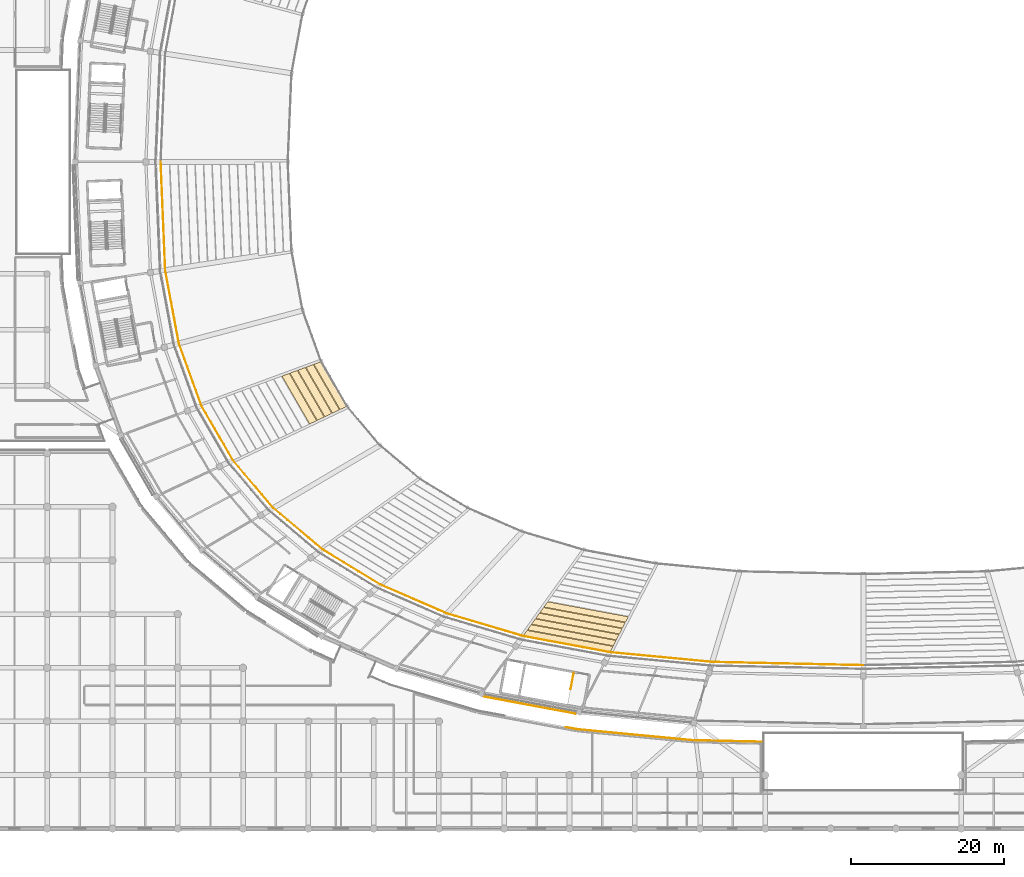
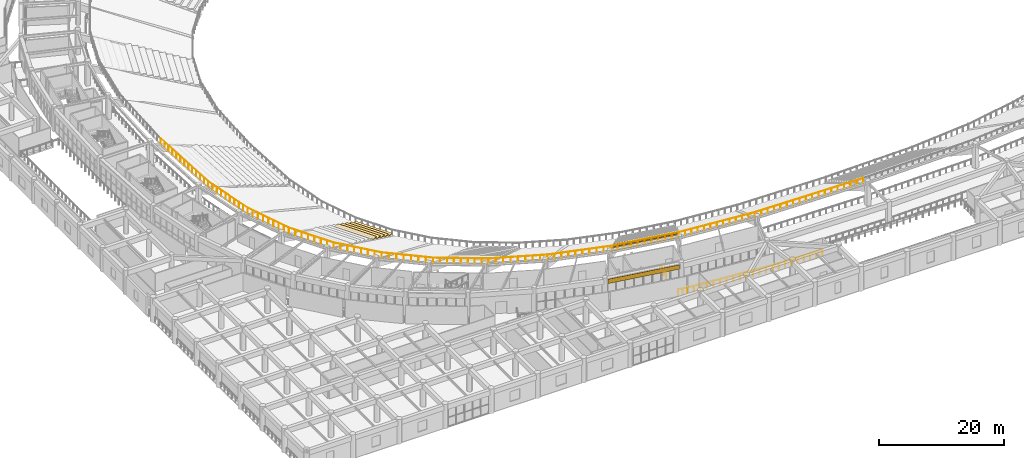
# One storey, part 115 of 137: 12 coverings, 4 railings.
"""IFC4 building model written with IfcOpenShell, lengths in metres."""

from ifc_helpers import new_model, si_unit, direction, frame, origin, origin_2d, place, context, subcontext, project, spatial, polyline, rectangle, circle, outline, extrude, material, layer, layer_set, type_object, element, save


model = new_model("IFC4")

# Units and contexts
model_context = context("Model", 3, precision=1e-05, world=origin(), true_north=direction((0.0, 1.0)))
body_context = subcontext(model_context, "Body", "Model", "MODEL_VIEW")
ifc_project = project(units=[si_unit("LENGTHUNIT", "METRE"), si_unit("AREAUNIT", "SQUARE_METRE"), si_unit("VOLUMEUNIT", "CUBIC_METRE"), si_unit("PLANEANGLEUNIT", "RADIAN"), si_unit("MASSUNIT", "GRAM", prefix="KILO")], contexts=[model_context])

# Site, building, storey
site_placement = place(None, origin())
site = spatial("IfcSite", under=ifc_project, at=site_placement, CompositionType="ELEMENT")
building_placement = place(site_placement, origin())
building = spatial("IfcBuilding", under=site, at=building_placement, Name="Mphavela Belvedere Stadium", CompositionType="ELEMENT")
storey_placement = place(building_placement, frame((0.0, 0.0, 19.199951171875)))
storey = spatial("IfcBuildingStorey", under=building, at=storey_placement, Name="L04", CompositionType="ELEMENT", Elevation=19.199951171875)

# Coverings
ifc_material_1 = material(Name="Carved classical limestone entablature frieze cladding", Category="masonry")
ifc_layer_1 = layer(ifc_material_1, 0.06005859375)
ifc_layer_set_1 = layer_set([ifc_layer_1], Name="Carved classical limestone entablature frieze cladding")
covering_type_1 = type_object("IfcCoveringType", Name="COV-FRIEZE-CLAD", PredefinedType="CLADDING", material=ifc_layer_set_1)
covering_1_placement = place(storey_placement, frame((71.50439453125, 16.103271484375, 3.594970703125), z_axis=(0.0, 0.0, 1.0), x_axis=(0.983095502692, -0.183093507769, 0.0)))
element("IfcCovering", 1, at=covering_1_placement, inside=storey, type_object=covering_type_1, Name="Classical entablature frieze cladding L04-34", PredefinedType="CLADDING", context=body_context, shape_type="SweptSolid", body=[
    extrude(rectangle(XDim=12.1513671875, YDim=0.06005859375, at=origin_2d()), origin(), (0.0, 0.0, 1.0), 0.85009765625),
])
ifc_material_2 = material(Name="Precast seating row terrazzo finish", Category="concrete")
ifc_layer_2 = layer(ifc_material_2, 0.1201171875)
ifc_layer_set_2 = layer_set([ifc_layer_2], Name="Precast seating row terrazzo finish")
covering_type_2 = type_object("IfcCoveringType", Name="COV-SEAT-ROW-U", PredefinedType="FLOORING", material=ifc_layer_set_2)
covering_2_placement = place(storey_placement, frame((0.0, 0.0, -3.4033203125)))
element("IfcCovering", 2, at=covering_2_placement, inside=storey, type_object=covering_type_2, Name="Upper stand seating row bench B28-R01", PredefinedType="FLOORING", context=body_context, shape_type="SweptSolid", body=[
    extrude(outline(polyline([(44.27685546875, 60.9453125), (47.6455078125, 55.118896484375), (46.73291015625, 54.68701171875), (43.318603515625, 60.592041015625), (44.27685546875, 60.9453125)])), origin(), (0.0, 0.0, 1.0), 0.1201171875),
])
covering_3_placement = place(storey_placement, frame((0.0, 0.0, -2.936767578125)))
element("IfcCovering", 3, at=covering_3_placement, inside=storey, type_object=covering_type_2, Name="Upper stand seating row bench B28-R02", PredefinedType="FLOORING", context=body_context, shape_type="SweptSolid", body=[
    extrude(outline(polyline([(43.235107421875, 60.561279296875), (46.653564453125, 54.6494140625), (45.740966796875, 54.21728515625), (42.27685546875, 60.20849609375), (43.235107421875, 60.561279296875)])), origin(), (0.0, 0.0, 1.0), 0.1201171875),
])
covering_4_placement = place(storey_placement, frame((0.0, 0.0, -2.469970703125)))
element("IfcCovering", 4, at=covering_4_placement, inside=storey, type_object=covering_type_2, Name="Upper stand seating row bench B28-R03", PredefinedType="FLOORING", context=body_context, shape_type="SweptSolid", body=[
    extrude(outline(polyline([(42.193603515625, 60.177734375), (45.66162109375, 54.1796875), (44.748779296875, 53.747802734375), (41.235107421875, 59.82470703125), (42.193603515625, 60.177734375)])), origin(), (0.0, 0.0, 1.0), 0.1201171875),
])
covering_5_placement = place(storey_placement, frame((0.0, 0.0, -2.003173828125)))
element("IfcCovering", 5, at=covering_5_placement, inside=storey, type_object=covering_type_2, Name="Upper stand seating row bench B28-R04", PredefinedType="FLOORING", context=body_context, shape_type="SweptSolid", body=[
    extrude(outline(polyline([(41.15185546875, 59.7939453125), (44.66943359375, 53.710205078125), (43.7568359375, 53.2783203125), (40.193603515625, 59.44091796875), (41.15185546875, 59.7939453125)])), origin(), (0.0, 0.0, 1.0), 0.119873046875),
])
covering_6_placement = place(storey_placement, frame((0.0, 0.0, -1.53662109375)))
element("IfcCovering", 6, at=covering_6_placement, inside=storey, type_object=covering_type_2, Name="Upper stand seating row bench B28-R05", PredefinedType="FLOORING", context=body_context, shape_type="SweptSolid", body=[
    extrude(outline(polyline([(40.110107421875, 59.41015625), (43.677490234375, 53.240478515625), (42.764892578125, 52.80859375), (39.15185546875, 59.05712890625), (40.110107421875, 59.41015625)])), origin(), (0.0, 0.0, 1.0), 0.119873046875),
])
covering_7_placement = place(storey_placement, frame((0.0, 0.0, 0.796630859375)))
element("IfcCovering", 7, at=covering_7_placement, inside=storey, type_object=covering_type_2, Name="Upper stand seating row bench B34-R10", PredefinedType="FLOORING", context=body_context, shape_type="SweptSolid", body=[
    extrude(outline(polyline([(73.8154296875, 29.610107421875), (84.341552734375, 27.649658203125), (83.974609375, 26.939697265625), (73.322509765625, 28.92333984375), (73.8154296875, 29.610107421875)])), origin(), (0.0, 0.0, 1.0), 0.1201171875),
])
covering_8_placement = place(storey_placement, frame((0.0, 0.0, 1.263427734375)))
element("IfcCovering", 8, at=covering_8_placement, inside=storey, type_object=covering_type_2, Name="Upper stand seating row bench B34-R11", PredefinedType="FLOORING", context=body_context, shape_type="SweptSolid", body=[
    extrude(outline(polyline([(73.27978515625, 28.86376953125), (83.94287109375, 26.877685546875), (83.575927734375, 26.167724609375), (72.787109375, 28.177001953125), (73.27978515625, 28.86376953125)])), origin(), (0.0, 0.0, 1.0), 0.119873046875),
])
covering_9_placement = place(storey_placement, frame((0.0, 0.0, 1.72998046875)))
element("IfcCovering", 9, at=covering_9_placement, inside=storey, type_object=covering_type_2, Name="Upper stand seating row bench B34-R12", PredefinedType="FLOORING", context=body_context, shape_type="SweptSolid", body=[
    extrude(outline(polyline([(72.744140625, 28.117431640625), (83.5439453125, 26.10595703125), (83.17724609375, 25.39599609375), (72.25146484375, 27.430908203125), (72.744140625, 28.117431640625)])), origin(), (0.0, 0.0, 1.0), 0.1201171875),
])
covering_10_placement = place(storey_placement, frame((0.0, 0.0, 2.19677734375)))
element("IfcCovering", 10, at=covering_10_placement, inside=storey, type_object=covering_type_2, Name="Upper stand seating row bench B34-R13", PredefinedType="FLOORING", context=body_context, shape_type="SweptSolid", body=[
    extrude(outline(polyline([(72.20849609375, 27.37109375), (83.145263671875, 25.334228515625), (82.778564453125, 24.6240234375), (71.7158203125, 26.684326171875), (72.20849609375, 27.37109375)])), origin(), (0.0, 0.0, 1.0), 0.119873046875),
])
covering_11_placement = place(storey_placement, frame((0.0, 0.0, 2.663330078125)))
element("IfcCovering", 11, at=covering_11_placement, inside=storey, type_object=covering_type_2, Name="Upper stand seating row bench B34-R14", PredefinedType="FLOORING", context=body_context, shape_type="SweptSolid", body=[
    extrude(outline(polyline([(71.673095703125, 26.624755859375), (82.74658203125, 24.562255859375), (82.3798828125, 23.852294921875), (71.18017578125, 25.93798828125), (71.673095703125, 26.624755859375)])), origin(), (0.0, 0.0, 1.0), 0.1201171875),
])
covering_12_placement = place(storey_placement, frame((0.0, 0.0, 3.130126953125)))
element("IfcCovering", 12, at=covering_12_placement, inside=storey, type_object=covering_type_2, Name="Upper stand seating row bench B34-R15", PredefinedType="FLOORING", context=body_context, shape_type="SweptSolid", body=[
    extrude(outline(polyline([(71.137451171875, 25.87841796875), (82.347900390625, 23.79052734375), (81.981201171875, 23.080322265625), (70.64453125, 25.191650390625), (71.137451171875, 25.87841796875)])), origin(), (0.0, 0.0, 1.0), 0.119873046875),
])

# Railings
ifc_material_3 = material(Name="Bronze and laminated glass stadium balustrade", Category="glass")
railing_type_1 = type_object("IfcRailingType", Name="RAL-BALUSTRADE-1120", PredefinedType="BALUSTRADE", material=ifc_material_3)
railing_1_placement = place(storey_placement, frame((23.3349609375, 87.0, 3.25)))
element("IfcRailing", 13, at=railing_1_placement, inside=storey, type_object=railing_type_1, Name="Bowl safety balustrade t2_rear S5", PredefinedType="BALUSTRADE", context=body_context, shape_type="SweptSolid", body=[
    extrude(circle(Radius=0.02392578125, at=origin_2d()), frame((0.0, 0.0, 1.09619140625), z_axis=(0.041909223859, -0.999121422529, 0.0), x_axis=(0.999121422529, 0.041909223859, 0.0)), (0.0, 0.0, 1.0), 14.138427734375),
    extrude(circle(Radius=0.02392578125, at=origin_2d()), frame((0.592529296875, -14.1259765625, 1.09619140625), z_axis=(0.182637987413, -0.983180230453, 0.0), x_axis=(0.983180230453, 0.182637987413, 0.0)), (0.0, 0.0, 1.0), 9.71826171875),
    extrude(circle(Radius=0.02392578125, at=origin_2d()), frame((2.367431640625, -23.6806640625, 1.09619140625), z_axis=(0.341024484254, -0.940054413925, 0.0), x_axis=(0.940054413925, 0.341024484254, 0.0)), (0.0, 0.0, 1.0), 8.64892578125),
    extrude(circle(Radius=0.02392578125, at=origin_2d()), frame((5.31689453125, -31.81103515625, 1.09619140625), z_axis=(0.500551313395, -0.865706868783, 0.0), x_axis=(0.865706868783, 0.500551313395, 0.0)), (0.0, 0.0, 1.0), 8.217041015625),
    extrude(circle(Radius=0.02392578125, at=origin_2d()), frame((9.429931640625, -38.924560546875, 1.09619140625), z_axis=(0.645159856171, -0.764047616308, 0.0), x_axis=(0.764047616308, 0.645159856171, 0.0)), (0.0, 0.0, 1.0), 8.15869140625),
    extrude(circle(Radius=0.02392578125, at=origin_2d()), frame((14.693603515625, -45.158203125, 1.09619140625), z_axis=(0.764273082573, -0.644892747093, 0.0), x_axis=(0.644892747093, 0.764273082573, 0.0)), (0.0, 0.0, 1.0), 8.378662109375),
    extrude(circle(Radius=0.02099609375, at=origin_2d()), origin(), (0.0, 0.0, 1.0), 1.072021484375),
    extrude(circle(Radius=0.02099609375, at=origin_2d()), frame((0.04931640625, -1.17724609375, 0.0)), (0.0, 0.0, 1.0), 1.072021484375),
    extrude(circle(Radius=0.02099609375, at=origin_2d()), frame((0.0986328125, -2.354248046875, 0.0)), (0.0, 0.0, 1.0), 1.072021484375),
    extrude(circle(Radius=0.02099609375, at=origin_2d()), frame((0.148193359375, -3.531494140625, 0.0)), (0.0, 0.0, 1.0), 1.072021484375),
    extrude(circle(Radius=0.02099609375, at=origin_2d()), frame((0.197509765625, -4.708740234375, 0.0)), (0.0, 0.0, 1.0), 1.072021484375),
    extrude(circle(Radius=0.02099609375, at=origin_2d()), frame((0.246826171875, -5.8857421875, 0.0)), (0.0, 0.0, 1.0), 1.072021484375),
    extrude(circle(Radius=0.02099609375, at=origin_2d()), frame((0.29638671875, -7.06298828125, 0.0)), (0.0, 0.0, 1.0), 1.072021484375),
    extrude(circle(Radius=0.02099609375, at=origin_2d()), frame((0.345703125, -8.240234375, 0.0)), (0.0, 0.0, 1.0), 1.072021484375),
    extrude(circle(Radius=0.02099609375, at=origin_2d()), frame((0.39501953125, -9.417236328125, 0.0)), (0.0, 0.0, 1.0), 1.072021484375),
    extrude(circle(Radius=0.02099609375, at=origin_2d()), frame((0.4443359375, -10.594482421875, 0.0)), (0.0, 0.0, 1.0), 1.072021484375),
    extrude(circle(Radius=0.02099609375, at=origin_2d()), frame((0.49365234375, -11.771728515625, 0.0)), (0.0, 0.0, 1.0), 1.072021484375),
    extrude(circle(Radius=0.02099609375, at=origin_2d()), frame((0.543212890625, -12.94873046875, 0.0)), (0.0, 0.0, 1.0), 1.072021484375),
    extrude(circle(Radius=0.02099609375, at=origin_2d()), frame((0.592529296875, -14.1259765625, 0.0)), (0.0, 0.0, 1.0), 1.072021484375),
    extrude(circle(Radius=0.02099609375, at=origin_2d()), frame((0.789794921875, -15.1875, 0.0)), (0.0, 0.0, 1.0), 1.072021484375),
    extrude(circle(Radius=0.02099609375, at=origin_2d()), frame((0.987060546875, -16.249267578125, 0.0)), (0.0, 0.0, 1.0), 1.072021484375),
    extrude(circle(Radius=0.02099609375, at=origin_2d()), frame((1.18408203125, -17.310791015625, 0.0)), (0.0, 0.0, 1.0), 1.072021484375),
    extrude(circle(Radius=0.02099609375, at=origin_2d()), frame((1.38134765625, -18.37255859375, 0.0)), (0.0, 0.0, 1.0), 1.072021484375),
    extrude(circle(Radius=0.02099609375, at=origin_2d()), frame((1.57861328125, -19.43408203125, 0.0)), (0.0, 0.0, 1.0), 1.072021484375),
    extrude(circle(Radius=0.02099609375, at=origin_2d()), frame((1.77587890625, -20.495849609375, 0.0)), (0.0, 0.0, 1.0), 1.072021484375),
    extrude(circle(Radius=0.02099609375, at=origin_2d()), frame((1.972900390625, -21.557373046875, 0.0)), (0.0, 0.0, 1.0), 1.072021484375),
    extrude(circle(Radius=0.02099609375, at=origin_2d()), frame((2.170166015625, -22.619140625, 0.0)), (0.0, 0.0, 1.0), 1.072021484375),
    extrude(circle(Radius=0.02099609375, at=origin_2d()), frame((2.367431640625, -23.6806640625, 0.0)), (0.0, 0.0, 1.0), 1.072021484375),
    extrude(circle(Radius=0.02099609375, at=origin_2d()), frame((2.736083984375, -24.697021484375, 0.0)), (0.0, 0.0, 1.0), 1.072021484375),
    extrude(circle(Radius=0.02099609375, at=origin_2d()), frame((3.104736328125, -25.71337890625, 0.0)), (0.0, 0.0, 1.0), 1.072021484375),
    extrude(circle(Radius=0.02099609375, at=origin_2d()), frame((3.473388671875, -26.7294921875, 0.0)), (0.0, 0.0, 1.0), 1.072021484375),
    extrude(circle(Radius=0.02099609375, at=origin_2d()), frame((3.84228515625, -27.745849609375, 0.0)), (0.0, 0.0, 1.0), 1.072021484375),
    extrude(circle(Radius=0.02099609375, at=origin_2d()), frame((4.2109375, -28.76220703125, 0.0)), (0.0, 0.0, 1.0), 1.072021484375),
    extrude(circle(Radius=0.02099609375, at=origin_2d()), frame((4.57958984375, -29.7783203125, 0.0)), (0.0, 0.0, 1.0), 1.072021484375),
    extrude(circle(Radius=0.02099609375, at=origin_2d()), frame((4.9482421875, -30.794677734375, 0.0)), (0.0, 0.0, 1.0), 1.072021484375),
    extrude(circle(Radius=0.02099609375, at=origin_2d()), frame((5.31689453125, -31.81103515625, 0.0)), (0.0, 0.0, 1.0), 1.072021484375),
    extrude(circle(Radius=0.02099609375, at=origin_2d()), frame((5.904541015625, -32.8271484375, 0.0)), (0.0, 0.0, 1.0), 1.072021484375),
    extrude(circle(Radius=0.02099609375, at=origin_2d()), frame((6.491943359375, -33.843505859375, 0.0)), (0.0, 0.0, 1.0), 1.072021484375),
    extrude(circle(Radius=0.02099609375, at=origin_2d()), frame((7.07958984375, -34.859619140625, 0.0)), (0.0, 0.0, 1.0), 1.072021484375),
    extrude(circle(Radius=0.02099609375, at=origin_2d()), frame((7.667236328125, -35.8759765625, 0.0)), (0.0, 0.0, 1.0), 1.072021484375),
    extrude(circle(Radius=0.02099609375, at=origin_2d()), frame((8.2548828125, -36.89208984375, 0.0)), (0.0, 0.0, 1.0), 1.072021484375),
    extrude(circle(Radius=0.02099609375, at=origin_2d()), frame((8.84228515625, -37.908447265625, 0.0)), (0.0, 0.0, 1.0), 1.072021484375),
    extrude(circle(Radius=0.02099609375, at=origin_2d()), frame((9.429931640625, -38.924560546875, 0.0)), (0.0, 0.0, 1.0), 1.072021484375),
    extrude(circle(Radius=0.02099609375, at=origin_2d()), frame((10.181884765625, -39.815185546875, 0.0)), (0.0, 0.0, 1.0), 1.072021484375),
    extrude(circle(Radius=0.02099609375, at=origin_2d()), frame((10.933837890625, -40.70556640625, 0.0)), (0.0, 0.0, 1.0), 1.072021484375),
    extrude(circle(Radius=0.02099609375, at=origin_2d()), frame((11.685791015625, -41.59619140625, 0.0)), (0.0, 0.0, 1.0), 1.072021484375),
    extrude(circle(Radius=0.02099609375, at=origin_2d()), frame((12.437744140625, -42.486572265625, 0.0)), (0.0, 0.0, 1.0), 1.072021484375),
    extrude(circle(Radius=0.02099609375, at=origin_2d()), frame((13.189697265625, -43.377197265625, 0.0)), (0.0, 0.0, 1.0), 1.072021484375),
    extrude(circle(Radius=0.02099609375, at=origin_2d()), frame((13.941650390625, -44.267578125, 0.0)), (0.0, 0.0, 1.0), 1.072021484375),
    extrude(circle(Radius=0.02099609375, at=origin_2d()), frame((14.693603515625, -45.158203125, 0.0)), (0.0, 0.0, 1.0), 1.072021484375),
    extrude(circle(Radius=0.02099609375, at=origin_2d()), frame((15.6083984375, -45.93017578125, 0.0)), (0.0, 0.0, 1.0), 1.072021484375),
    extrude(circle(Radius=0.02099609375, at=origin_2d()), frame((16.523193359375, -46.701904296875, 0.0)), (0.0, 0.0, 1.0), 1.072021484375),
    extrude(circle(Radius=0.02099609375, at=origin_2d()), frame((17.43798828125, -47.473876953125, 0.0)), (0.0, 0.0, 1.0), 1.072021484375),
    extrude(circle(Radius=0.02099609375, at=origin_2d()), frame((18.352783203125, -48.245849609375, 0.0)), (0.0, 0.0, 1.0), 1.072021484375),
    extrude(circle(Radius=0.02099609375, at=origin_2d()), frame((19.267578125, -49.017822265625, 0.0)), (0.0, 0.0, 1.0), 1.072021484375),
    extrude(circle(Radius=0.02099609375, at=origin_2d()), frame((20.182373046875, -49.78955078125, 0.0)), (0.0, 0.0, 1.0), 1.072021484375),
    extrude(circle(Radius=0.02099609375, at=origin_2d()), frame((21.09716796875, -50.5615234375, 0.0)), (0.0, 0.0, 1.0), 1.072021484375),
])
railing_2_placement = place(storey_placement, frame((44.43212890625, 36.4384765625, 3.25)))
element("IfcRailing", 14, at=railing_2_placement, inside=storey, type_object=railing_type_1, Name="Bowl safety balustrade t2_rear S6", PredefinedType="BALUSTRADE", context=body_context, shape_type="SweptSolid", body=[
    extrude(circle(Radius=0.02392578125, at=origin_2d()), frame((0.0, 0.0, 1.09619140625), z_axis=(0.85431656111, -0.519753031173, 0.0), x_axis=(0.519753031173, 0.85431656111, 0.0)), (0.0, 0.0, 1.0), 8.82763671875),
    extrude(circle(Radius=0.02392578125, at=origin_2d()), frame((7.54150390625, -4.588134765625, 1.09619140625), z_axis=(0.917507086271, -0.397719432065, 0.0), x_axis=(0.397719432065, 0.917507086271, 0.0)), (0.0, 0.0, 1.0), 9.482177734375),
    extrude(circle(Radius=0.02392578125, at=origin_2d()), frame((16.241455078125, -8.359375, 1.09619140625), z_axis=(0.958657919972, -0.284561052279, 0.0), x_axis=(0.284561052279, 0.958657919972, 0.0)), (0.0, 0.0, 1.0), 10.3564453125),
    extrude(circle(Radius=0.02392578125, at=origin_2d()), frame((26.169677734375, -11.306396484375, 1.09619140625), z_axis=(0.983092967472, -0.183107119762, 0.0), x_axis=(0.183107119762, 0.983092967472, 0.0)), (0.0, 0.0, 1.0), 11.54248046875),
    extrude(circle(Radius=0.02392578125, at=origin_2d()), frame((37.51708984375, -13.419921875, 1.09619140625), z_axis=(0.995485310034, -0.094915738982, 0.0), x_axis=(0.094915738982, 0.995485310034, 0.0)), (0.0, 0.0, 1.0), 13.39599609375),
    extrude(circle(Radius=0.02392578125, at=origin_2d()), frame((50.8525390625, -14.69140625, 1.09619140625), z_axis=(0.999768212471, -0.021529545552, 0.0), x_axis=(0.021529545552, 0.999768212471, 0.0)), (0.0, 0.0, 1.0), 19.719970703125),
    extrude(circle(Radius=0.02099609375, at=origin_2d()), origin(), (0.0, 0.0, 1.0), 1.072021484375),
    extrude(circle(Radius=0.02099609375, at=origin_2d()), frame((0.942626953125, -0.573486328125, 0.0)), (0.0, 0.0, 1.0), 1.072021484375),
    extrude(circle(Radius=0.02099609375, at=origin_2d()), frame((1.88525390625, -1.14697265625, 0.0)), (0.0, 0.0, 1.0), 1.072021484375),
    extrude(circle(Radius=0.02099609375, at=origin_2d()), frame((2.828125, -1.720458984375, 0.0)), (0.0, 0.0, 1.0), 1.072021484375),
    extrude(circle(Radius=0.02099609375, at=origin_2d()), frame((3.770751953125, -2.2939453125, 0.0)), (0.0, 0.0, 1.0), 1.072021484375),
    extrude(circle(Radius=0.02099609375, at=origin_2d()), frame((4.71337890625, -2.86767578125, 0.0)), (0.0, 0.0, 1.0), 1.072021484375),
    extrude(circle(Radius=0.02099609375, at=origin_2d()), frame((5.65625, -3.441162109375, 0.0)), (0.0, 0.0, 1.0), 1.072021484375),
    extrude(circle(Radius=0.02099609375, at=origin_2d()), frame((6.598876953125, -4.0146484375, 0.0)), (0.0, 0.0, 1.0), 1.072021484375),
    extrude(circle(Radius=0.02099609375, at=origin_2d()), frame((7.54150390625, -4.588134765625, 0.0)), (0.0, 0.0, 1.0), 1.072021484375),
    extrude(circle(Radius=0.02099609375, at=origin_2d()), frame((8.62890625, -5.0595703125, 0.0)), (0.0, 0.0, 1.0), 1.072021484375),
    extrude(circle(Radius=0.02099609375, at=origin_2d()), frame((9.716552734375, -5.531005859375, 0.0)), (0.0, 0.0, 1.0), 1.072021484375),
    extrude(circle(Radius=0.02099609375, at=origin_2d()), frame((10.803955078125, -6.00244140625, 0.0)), (0.0, 0.0, 1.0), 1.072021484375),
    extrude(circle(Radius=0.02099609375, at=origin_2d()), frame((11.8916015625, -6.4736328125, 0.0)), (0.0, 0.0, 1.0), 1.072021484375),
    extrude(circle(Radius=0.02099609375, at=origin_2d()), frame((12.97900390625, -6.945068359375, 0.0)), (0.0, 0.0, 1.0), 1.072021484375),
    extrude(circle(Radius=0.02099609375, at=origin_2d()), frame((14.06640625, -7.41650390625, 0.0)), (0.0, 0.0, 1.0), 1.072021484375),
    extrude(circle(Radius=0.02099609375, at=origin_2d()), frame((15.154052734375, -7.887939453125, 0.0)), (0.0, 0.0, 1.0), 1.072021484375),
    extrude(circle(Radius=0.02099609375, at=origin_2d()), frame((16.241455078125, -8.359375, 0.0)), (0.0, 0.0, 1.0), 1.072021484375),
    extrude(circle(Radius=0.02099609375, at=origin_2d()), frame((17.344482421875, -8.686767578125, 0.0)), (0.0, 0.0, 1.0), 1.072021484375),
    extrude(circle(Radius=0.02099609375, at=origin_2d()), frame((18.44775390625, -9.01416015625, 0.0)), (0.0, 0.0, 1.0), 1.072021484375),
    extrude(circle(Radius=0.02099609375, at=origin_2d()), frame((19.55078125, -9.341796875, 0.0)), (0.0, 0.0, 1.0), 1.072021484375),
    extrude(circle(Radius=0.02099609375, at=origin_2d()), frame((20.654052734375, -9.669189453125, 0.0)), (0.0, 0.0, 1.0), 1.072021484375),
    extrude(circle(Radius=0.02099609375, at=origin_2d()), frame((21.757080078125, -9.99658203125, 0.0)), (0.0, 0.0, 1.0), 1.072021484375),
    extrude(circle(Radius=0.02099609375, at=origin_2d()), frame((22.8603515625, -10.323974609375, 0.0)), (0.0, 0.0, 1.0), 1.072021484375),
    extrude(circle(Radius=0.02099609375, at=origin_2d()), frame((23.96337890625, -10.651611328125, 0.0)), (0.0, 0.0, 1.0), 1.072021484375),
    extrude(circle(Radius=0.02099609375, at=origin_2d()), frame((25.066650390625, -10.97900390625, 0.0)), (0.0, 0.0, 1.0), 1.072021484375),
    extrude(circle(Radius=0.02099609375, at=origin_2d()), frame((26.169677734375, -11.306396484375, 0.0)), (0.0, 0.0, 1.0), 1.072021484375),
    extrude(circle(Radius=0.02099609375, at=origin_2d()), frame((27.304443359375, -11.517822265625, 0.0)), (0.0, 0.0, 1.0), 1.072021484375),
    extrude(circle(Radius=0.02099609375, at=origin_2d()), frame((28.439208984375, -11.72900390625, 0.0)), (0.0, 0.0, 1.0), 1.072021484375),
    extrude(circle(Radius=0.02099609375, at=origin_2d()), frame((29.573974609375, -11.9404296875, 0.0)), (0.0, 0.0, 1.0), 1.072021484375),
    extrude(circle(Radius=0.02099609375, at=origin_2d()), frame((30.708740234375, -12.15185546875, 0.0)), (0.0, 0.0, 1.0), 1.072021484375),
    extrude(circle(Radius=0.02099609375, at=origin_2d()), frame((31.84326171875, -12.36328125, 0.0)), (0.0, 0.0, 1.0), 1.072021484375),
    extrude(circle(Radius=0.02099609375, at=origin_2d()), frame((32.97802734375, -12.574462890625, 0.0)), (0.0, 0.0, 1.0), 1.072021484375),
    extrude(circle(Radius=0.02099609375, at=origin_2d()), frame((34.11279296875, -12.785888671875, 0.0)), (0.0, 0.0, 1.0), 1.072021484375),
    extrude(circle(Radius=0.02099609375, at=origin_2d()), frame((35.24755859375, -12.997314453125, 0.0)), (0.0, 0.0, 1.0), 1.072021484375),
    extrude(circle(Radius=0.02099609375, at=origin_2d()), frame((36.38232421875, -13.20849609375, 0.0)), (0.0, 0.0, 1.0), 1.072021484375),
    extrude(circle(Radius=0.02099609375, at=origin_2d()), frame((37.51708984375, -13.419921875, 0.0)), (0.0, 0.0, 1.0), 1.072021484375),
    extrude(circle(Radius=0.02099609375, at=origin_2d()), frame((38.62841796875, -13.52587890625, 0.0)), (0.0, 0.0, 1.0), 1.072021484375),
    extrude(circle(Radius=0.02099609375, at=origin_2d()), frame((39.73974609375, -13.6318359375, 0.0)), (0.0, 0.0, 1.0), 1.072021484375),
    extrude(circle(Radius=0.02099609375, at=origin_2d()), frame((40.85107421875, -13.73779296875, 0.0)), (0.0, 0.0, 1.0), 1.072021484375),
    extrude(circle(Radius=0.02099609375, at=origin_2d()), frame((41.962158203125, -13.84375, 0.0)), (0.0, 0.0, 1.0), 1.072021484375),
    extrude(circle(Radius=0.02099609375, at=origin_2d()), frame((43.073486328125, -13.94970703125, 0.0)), (0.0, 0.0, 1.0), 1.072021484375),
    extrude(circle(Radius=0.02099609375, at=origin_2d()), frame((44.184814453125, -14.0556640625, 0.0)), (0.0, 0.0, 1.0), 1.072021484375),
    extrude(circle(Radius=0.02099609375, at=origin_2d()), frame((45.296142578125, -14.16162109375, 0.0)), (0.0, 0.0, 1.0), 1.072021484375),
    extrude(circle(Radius=0.02099609375, at=origin_2d()), frame((46.407470703125, -14.267578125, 0.0)), (0.0, 0.0, 1.0), 1.072021484375),
    extrude(circle(Radius=0.02099609375, at=origin_2d()), frame((47.5185546875, -14.37353515625, 0.0)), (0.0, 0.0, 1.0), 1.072021484375),
    extrude(circle(Radius=0.02099609375, at=origin_2d()), frame((48.6298828125, -14.4794921875, 0.0)), (0.0, 0.0, 1.0), 1.072021484375),
    extrude(circle(Radius=0.02099609375, at=origin_2d()), frame((49.7412109375, -14.58544921875, 0.0)), (0.0, 0.0, 1.0), 1.072021484375),
    extrude(circle(Radius=0.02099609375, at=origin_2d()), frame((50.8525390625, -14.69140625, 0.0)), (0.0, 0.0, 1.0), 1.072021484375),
    extrude(circle(Radius=0.02099609375, at=origin_2d()), frame((52.01220703125, -14.71630859375, 0.0)), (0.0, 0.0, 1.0), 1.072021484375),
    extrude(circle(Radius=0.02099609375, at=origin_2d()), frame((53.171875, -14.741455078125, 0.0)), (0.0, 0.0, 1.0), 1.072021484375),
    extrude(circle(Radius=0.02099609375, at=origin_2d()), frame((54.331787109375, -14.766357421875, 0.0)), (0.0, 0.0, 1.0), 1.072021484375),
    extrude(circle(Radius=0.02099609375, at=origin_2d()), frame((55.491455078125, -14.791259765625, 0.0)), (0.0, 0.0, 1.0), 1.072021484375),
    extrude(circle(Radius=0.02099609375, at=origin_2d()), frame((56.651123046875, -14.816162109375, 0.0)), (0.0, 0.0, 1.0), 1.072021484375),
    extrude(circle(Radius=0.02099609375, at=origin_2d()), frame((57.810791015625, -14.84130859375, 0.0)), (0.0, 0.0, 1.0), 1.072021484375),
    extrude(circle(Radius=0.02099609375, at=origin_2d()), frame((58.970703125, -14.8662109375, 0.0)), (0.0, 0.0, 1.0), 1.072021484375),
    extrude(circle(Radius=0.02099609375, at=origin_2d()), frame((60.13037109375, -14.89111328125, 0.0)), (0.0, 0.0, 1.0), 1.072021484375),
    extrude(circle(Radius=0.02099609375, at=origin_2d()), frame((61.2900390625, -14.916259765625, 0.0)), (0.0, 0.0, 1.0), 1.072021484375),
    extrude(circle(Radius=0.02099609375, at=origin_2d()), frame((62.44970703125, -14.941162109375, 0.0)), (0.0, 0.0, 1.0), 1.072021484375),
    extrude(circle(Radius=0.02099609375, at=origin_2d()), frame((63.609619140625, -14.966064453125, 0.0)), (0.0, 0.0, 1.0), 1.072021484375),
    extrude(circle(Radius=0.02099609375, at=origin_2d()), frame((64.769287109375, -14.9912109375, 0.0)), (0.0, 0.0, 1.0), 1.072021484375),
    extrude(circle(Radius=0.02099609375, at=origin_2d()), frame((65.928955078125, -15.01611328125, 0.0)), (0.0, 0.0, 1.0), 1.072021484375),
    extrude(circle(Radius=0.02099609375, at=origin_2d()), frame((67.088623046875, -15.041015625, 0.0)), (0.0, 0.0, 1.0), 1.072021484375),
    extrude(circle(Radius=0.02099609375, at=origin_2d()), frame((68.24853515625, -15.06591796875, 0.0)), (0.0, 0.0, 1.0), 1.072021484375),
    extrude(circle(Radius=0.02099609375, at=origin_2d()), frame((69.408203125, -15.091064453125, 0.0)), (0.0, 0.0, 1.0), 1.072021484375),
    extrude(circle(Radius=0.02099609375, at=origin_2d()), frame((70.56787109375, -15.115966796875, 0.0)), (0.0, 0.0, 1.0), 1.072021484375),
])
railing_3_placement = place(storey_placement, frame((76.212890625, 13.232666015625, 0.0)))
element("IfcRailing", 15, at=railing_3_placement, inside=storey, type_object=railing_type_1, Name="Peristyle wing gallery edge balustrade L04-04", PredefinedType="BALUSTRADE", context=body_context, shape_type="SweptSolid", body=[
    extrude(circle(Radius=0.02392578125, at=origin_2d()), frame((0.0, 0.0, 1.09619140625), z_axis=(0.984163739647, -0.177261765658, 0.0), x_axis=(0.177261765658, 0.984163739647, 0.0)), (0.0, 0.0, 1.0), 1.52197265625),
    extrude(circle(Radius=0.02392578125, at=origin_2d()), frame((1.497802734375, -0.269775390625, 1.09619140625), z_axis=(0.995483637339, -0.094933280733, 0.0), x_axis=(0.094933280733, 0.995483637339, 0.0)), (0.0, 0.0, 1.0), 15.029052734375),
    extrude(circle(Radius=0.02392578125, at=origin_2d()), frame((16.458984375, -1.696533203125, 1.09619140625), z_axis=(0.999754122282, -0.022174196285, 0.0), x_axis=(0.022174196285, 0.999754122282, 0.0)), (0.0, 0.0, 1.0), 9.05029296875),
    extrude(circle(Radius=0.02099609375, at=origin_2d()), origin(), (0.0, 0.0, 1.0), 1.072021484375),
    extrude(circle(Radius=0.02099609375, at=origin_2d()), frame((0.7490234375, -0.134765625, 0.0)), (0.0, 0.0, 1.0), 1.072021484375),
    extrude(circle(Radius=0.02099609375, at=origin_2d()), frame((1.497802734375, -0.269775390625, 0.0)), (0.0, 0.0, 1.0), 1.072021484375),
    extrude(circle(Radius=0.02099609375, at=origin_2d()), frame((2.648681640625, -0.379638671875, 0.0)), (0.0, 0.0, 1.0), 1.072021484375),
    extrude(circle(Radius=0.02099609375, at=origin_2d()), frame((3.799560546875, -0.4892578125, 0.0)), (0.0, 0.0, 1.0), 1.072021484375),
    extrude(circle(Radius=0.02099609375, at=origin_2d()), frame((4.950439453125, -0.59912109375, 0.0)), (0.0, 0.0, 1.0), 1.072021484375),
    extrude(circle(Radius=0.02099609375, at=origin_2d()), frame((6.101318359375, -0.708740234375, 0.0)), (0.0, 0.0, 1.0), 1.072021484375),
    extrude(circle(Radius=0.02099609375, at=origin_2d()), frame((7.252197265625, -0.818603515625, 0.0)), (0.0, 0.0, 1.0), 1.072021484375),
    extrude(circle(Radius=0.02099609375, at=origin_2d()), frame((8.403076171875, -0.92822265625, 0.0)), (0.0, 0.0, 1.0), 1.072021484375),
    extrude(circle(Radius=0.02099609375, at=origin_2d()), frame((9.5537109375, -1.0380859375, 0.0)), (0.0, 0.0, 1.0), 1.072021484375),
    extrude(circle(Radius=0.02099609375, at=origin_2d()), frame((10.70458984375, -1.147705078125, 0.0)), (0.0, 0.0, 1.0), 1.072021484375),
    extrude(circle(Radius=0.02099609375, at=origin_2d()), frame((11.85546875, -1.257568359375, 0.0)), (0.0, 0.0, 1.0), 1.072021484375),
    extrude(circle(Radius=0.02099609375, at=origin_2d()), frame((13.00634765625, -1.3671875, 0.0)), (0.0, 0.0, 1.0), 1.072021484375),
    extrude(circle(Radius=0.02099609375, at=origin_2d()), frame((14.1572265625, -1.47705078125, 0.0)), (0.0, 0.0, 1.0), 1.072021484375),
    extrude(circle(Radius=0.02099609375, at=origin_2d()), frame((15.30810546875, -1.586669921875, 0.0)), (0.0, 0.0, 1.0), 1.072021484375),
    extrude(circle(Radius=0.02099609375, at=origin_2d()), frame((16.458984375, -1.696533203125, 0.0)), (0.0, 0.0, 1.0), 1.072021484375),
    extrude(circle(Radius=0.02099609375, at=origin_2d()), frame((17.590087890625, -1.7216796875, 0.0)), (0.0, 0.0, 1.0), 1.072021484375),
    extrude(circle(Radius=0.02099609375, at=origin_2d()), frame((18.720947265625, -1.74658203125, 0.0)), (0.0, 0.0, 1.0), 1.072021484375),
    extrude(circle(Radius=0.02099609375, at=origin_2d()), frame((19.85205078125, -1.771728515625, 0.0)), (0.0, 0.0, 1.0), 1.072021484375),
    extrude(circle(Radius=0.02099609375, at=origin_2d()), frame((20.98291015625, -1.796875, 0.0)), (0.0, 0.0, 1.0), 1.072021484375),
    extrude(circle(Radius=0.02099609375, at=origin_2d()), frame((22.114013671875, -1.822021484375, 0.0)), (0.0, 0.0, 1.0), 1.072021484375),
    extrude(circle(Radius=0.02099609375, at=origin_2d()), frame((23.2451171875, -1.84716796875, 0.0)), (0.0, 0.0, 1.0), 1.072021484375),
    extrude(circle(Radius=0.02099609375, at=origin_2d()), frame((24.3759765625, -1.8720703125, 0.0)), (0.0, 0.0, 1.0), 1.072021484375),
    extrude(circle(Radius=0.02099609375, at=origin_2d()), frame((25.507080078125, -1.897216796875, 0.0)), (0.0, 0.0, 1.0), 1.072021484375),
])
ifc_material_4 = material(Name="Painted galvanised steel stair guardrail", Category="steel")
railing_type_2 = type_object("IfcRailingType", Name="RAL-GUARD-1120", PredefinedType="GUARDRAIL", material=ifc_material_4)
railing_4_placement = place(storey_placement, frame((77.2197265625, 20.3154296875, 0.0)))
element("IfcRailing", 16, at=railing_4_placement, inside=storey, type_object=railing_type_2, Name="L04 ST-C11 top well guard 1", PredefinedType="GUARDRAIL", context=body_context, shape_type="SweptSolid", body=[
    extrude(circle(Radius=0.02392578125, at=origin_2d()), frame((0.0, 0.0, 1.09619140625), z_axis=(-0.183052064473, -0.983103220263, 0.0), x_axis=(0.983103220263, -0.183052064473, 0.0)), (0.0, 0.0, 1.0), 2.169921875),
    extrude(circle(Radius=0.02099609375, at=origin_2d()), origin(), (0.0, 0.0, 1.0), 1.072021484375),
    extrude(circle(Radius=0.02099609375, at=origin_2d()), frame((-0.19873046875, -1.066650390625, 0.0)), (0.0, 0.0, 1.0), 1.072021484375),
    extrude(circle(Radius=0.02099609375, at=origin_2d()), frame((-0.397216796875, -2.13330078125, 0.0)), (0.0, 0.0, 1.0), 1.072021484375),
])

save(model, "model.ifc")
